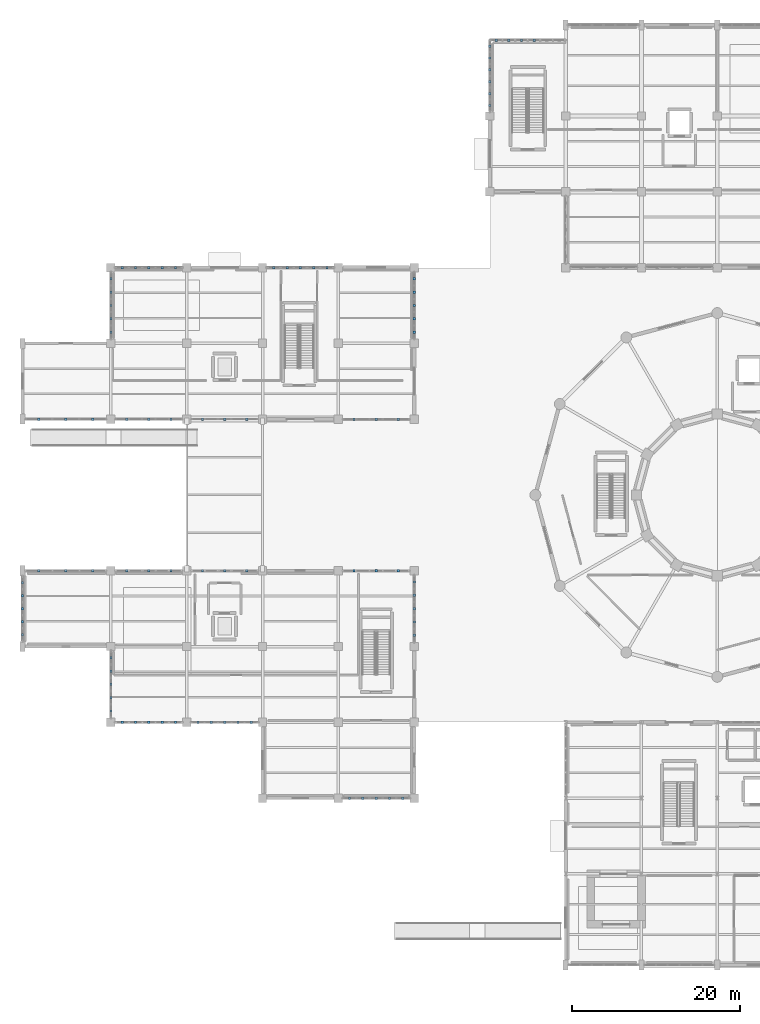
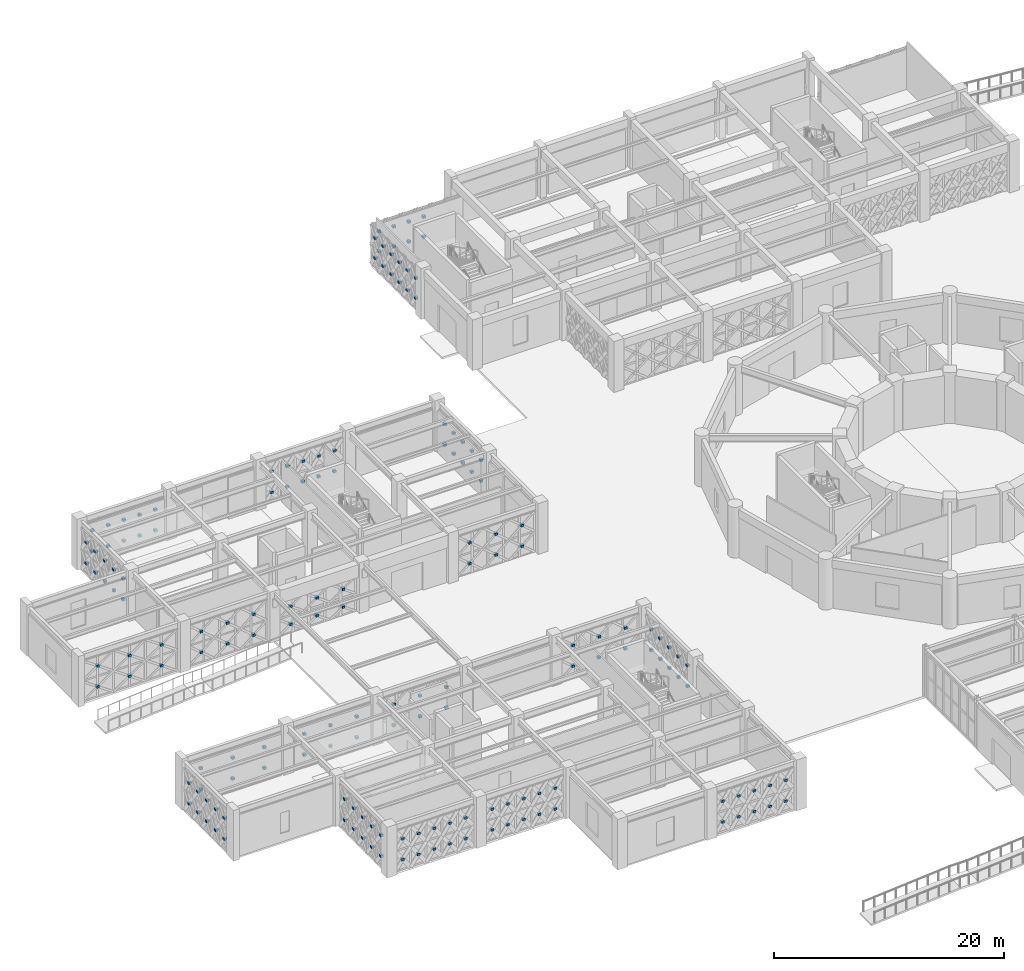
# One storey, part 124 of 140: 168 discrete accessories.
"""IFC4 building model written with IfcOpenShell, lengths in metres."""

import ifcopenshell
import ifcopenshell.guid

model = None  # the IFC model being written
_history = None  # IfcOwnerHistory: only IFC2X3 demands one
_inside = {}  # id of a spatial element -> (the spatial element, [elements in it])
_under = {}  # id of a project, library or spatial element -> (it, [spatial elements below it])
_declared = {}  # id of a project -> (the project, [libraries it declares])
_typed = {}  # id of a type object -> (the type object, [elements of that type])
_made_of = {}  # id of a material, layer set ... -> (it, [elements and type objects made of it])


def new_model(schema):
    """Start an empty IFC model of exactly this schema.

    Asked for "IFC4X3", IfcOpenShell would pick the latest addendum, in which some entities
    have other attributes; the version numbers below select the first issue.
    IFC2X3 requires an IfcOwnerHistory on every rooted entity: one is made here for all.
    """
    global model, _history
    if schema == "IFC4X3":
        model = ifcopenshell.file(schema_version=(4, 3, 0, 0))
    else:
        model = ifcopenshell.file(schema=schema)
    _inside.clear()
    _under.clear()
    _declared.clear()
    _typed.clear()
    _made_of.clear()
    _history = None
    if model.schema == "IFC2X3":
        org = make("IfcOrganization", Name="unknown")
        user = make(
            "IfcPersonAndOrganization",
            ThePerson=make("IfcPerson", FamilyName="unknown"),
            TheOrganization=org,
        )
        app = make(
            "IfcApplication",
            ApplicationDeveloper=org,
            Version="unknown",
            ApplicationFullName="unknown",
            ApplicationIdentifier="unknown",
        )
        _history = make(
            "IfcOwnerHistory",
            OwningUser=user,
            OwningApplication=app,
            ChangeAction="ADDED",
            CreationDate=0,
        )
    return model


def make(cls, **values):
    """One entity of the class cls with the attributes given. An attribute that is None is left unset."""
    return model.create_entity(
        cls, **{name: value for name, value in values.items() if value is not None}
    )


def rooted(cls, **values):
    """An entity with a GlobalId (a new one), such as an element, a storey or a relation."""
    return make(cls, GlobalId=ifcopenshell.guid.new(), OwnerHistory=_history, **values)


def si_unit(unit_type, name, prefix=None):
    """IfcSIUnit, for example si_unit("LENGTHUNIT", "METRE", prefix="MILLI")."""
    return make("IfcSIUnit", UnitType=unit_type, Prefix=prefix, Name=name)


def assignment(units):
    """IfcUnitAssignment: the units of a project."""
    return None if units is None else make("IfcUnitAssignment", Units=units)


def point(xyz):
    """IfcCartesianPoint."""
    return None if xyz is None else make("IfcCartesianPoint", Coordinates=xyz)


def direction(xyz):
    """IfcDirection."""
    return None if xyz is None else make("IfcDirection", DirectionRatios=xyz)


def frame(location, z_axis=None, x_axis=None):
    """IfcAxis2Placement3D, a coordinate frame: its origin and axes. An axis left out is left unset."""
    return make(
        "IfcAxis2Placement3D",
        Location=point(location),
        Axis=direction(z_axis),
        RefDirection=direction(x_axis),
    )


def frame_2d(location, x_axis=None):
    """IfcAxis2Placement2D, a coordinate frame in the plane: its origin and x axis."""
    return make(
        "IfcAxis2Placement2D", Location=point(location), RefDirection=direction(x_axis)
    )


def origin():
    """The frame at (0, 0, 0) with its axes left unset."""
    return frame((0.0, 0.0, 0.0))


def origin_2d():
    """The frame at (0, 0) in the plane with its x axis left unset."""
    return frame_2d((0.0, 0.0))


def place(relative_to, where):
    """IfcLocalPlacement: puts the frame where relative to a parent placement (None: the world)."""
    return make(
        "IfcLocalPlacement", PlacementRelTo=relative_to, RelativePlacement=where
    )


def context(
    kind, dimensions, precision=None, world=None, true_north=None, identifier=None
):
    """IfcGeometricRepresentationContext, for example the 3D "Model" context."""
    return make(
        "IfcGeometricRepresentationContext",
        ContextIdentifier=identifier,
        ContextType=kind,
        CoordinateSpaceDimension=dimensions,
        Precision=precision,
        WorldCoordinateSystem=world,
        TrueNorth=true_north,
    )


def subcontext(parent, identifier, kind, view, scale=None):
    """IfcGeometricRepresentationSubContext, for example "Body" below "Model"."""
    return make(
        "IfcGeometricRepresentationSubContext",
        ContextIdentifier=identifier,
        ContextType=kind,
        ParentContext=parent,
        TargetScale=scale,
        TargetView=view,
    )


def project(units=None, contexts=None):
    """IfcProject with its units and contexts."""
    return rooted(
        "IfcProject",
        Name="project",
        RepresentationContexts=contexts,
        UnitsInContext=assignment(units),
    )


def spatial(cls, under=None, at=None, **own):
    """A site, building, storey or space (cls), placed at a placement, below another one or the project."""
    s = rooted(cls, ObjectPlacement=at, **own)
    if under is not None:
        _under.setdefault(under.id(), (under, []))[1].append(s)
    return s


def profile(cls, at=None, kind="AREA", **sizes):
    """A parametric profile (cls). Its sizes go by their IFC names, for example OverallWidth=200.0."""
    return make(cls, ProfileType=kind, Position=at, **sizes)


def rectangle(**sizes):
    """IfcRectangleProfileDef."""
    return profile("IfcRectangleProfileDef", **sizes)


def extrude(swept, where, along, depth):
    """IfcExtrudedAreaSolid: the profile swept, set in the frame where, extruded along a direction by depth."""
    return make(
        "IfcExtrudedAreaSolid",
        SweptArea=swept,
        Position=where,
        ExtrudedDirection=direction(along),
        Depth=depth,
    )


def shape(context_of_items, identifier, shape_type, items):
    """IfcShapeRepresentation: the items that make up one representation, for example the "Body"."""
    return make(
        "IfcShapeRepresentation",
        ContextOfItems=context_of_items,
        RepresentationIdentifier=identifier,
        RepresentationType=shape_type,
        Items=items,
    )


def material(Name=None, Category=None):
    """IfcMaterial."""
    return make("IfcMaterial", Name=Name, Category=Category)


def made_of(thing, what):
    """Note that an element or type object is made of a material, layer set ...; save() writes the relation."""
    if what is not None:
        _made_of.setdefault(what.id(), (what, []))[1].append(thing)
    return thing


def type_object(cls, material=None, **own):
    """A type object (cls), such as IfcWallType, which elements share."""
    return made_of(rooted(cls, **own), material)


def element(
    cls,
    number,
    at=None,
    inside=None,
    cuts=None,
    type_object=None,
    material=None,
    context=None,
    identifier="Body",
    shape_type=None,
    held_by="IfcProductDefinitionShape",
    body=None,
    shapes=None,
    **own,
):
    """One element of the class cls, such as IfcWall. Its Tag is "e" and its number.

    at: its placement. inside: the storey or other place that contains it. cuts: it is an
    opening in that element (IfcRelVoidsElement). A single representation is given by context,
    identifier, shape_type and body (its items); several are given by shapes. held_by: the class
    of the entity that holds the representations. save() writes the other relations.
    """
    e = rooted(cls, Tag="e%d" % number, ObjectPlacement=at, **own)
    if body is not None:
        shapes = [shape(context, identifier, shape_type, body)]
    if shapes is not None:
        e.Representation = make(held_by, Representations=shapes)
    if inside is not None:
        _inside.setdefault(inside.id(), (inside, []))[1].append(e)
    if cuts is not None:
        rooted(
            "IfcRelVoidsElement", RelatingBuildingElement=cuts, RelatedOpeningElement=e
        )
    if type_object is not None:
        _typed.setdefault(type_object.id(), (type_object, []))[1].append(e)
    return made_of(e, material)


def aggregate(whole, parts):
    """IfcRelAggregates: a whole, such as a stair, and the parts it consists of."""
    return rooted("IfcRelAggregates", RelatingObject=whole, RelatedObjects=parts)


def save(model, path):
    """Write the relations noted so far, then the file.

    IfcRelAggregates (storeys below a building ...), IfcRelContainedInSpatialStructure (elements
    in a storey), IfcRelDefinesByType, IfcRelAssociatesMaterial and IfcRelDeclares: one each for
    every whole, place, type object, material and project.
    """
    for whole, parts in _under.values():
        aggregate(whole, parts)
    for where, things in _inside.values():
        rooted(
            "IfcRelContainedInSpatialStructure",
            RelatedElements=things,
            RelatingStructure=where,
        )
    for kind, things in _typed.values():
        rooted("IfcRelDefinesByType", RelatedObjects=things, RelatingType=kind)
    for what, things in _made_of.values():
        rooted("IfcRelAssociatesMaterial", RelatedObjects=things, RelatingMaterial=what)
    for by, libraries in _declared.values():
        rooted("IfcRelDeclares", RelatingContext=by, RelatedDefinitions=libraries)
    model.write(path)


model = new_model("IFC4")

# Units and contexts
model_context = context("Model", 3, precision=1e-05, world=origin(), true_north=direction((0.0, 1.0)))
body_context = subcontext(model_context, "Body", "Model", "MODEL_VIEW")
ifc_project = project(units=[si_unit("LENGTHUNIT", "METRE"), si_unit("AREAUNIT", "SQUARE_METRE"), si_unit("VOLUMEUNIT", "CUBIC_METRE"), si_unit("PLANEANGLEUNIT", "RADIAN"), si_unit("MASSUNIT", "GRAM", prefix="KILO")], contexts=[model_context])

# Site, building, storey
site_placement = place(None, origin())
site = spatial("IfcSite", under=ifc_project, at=site_placement, CompositionType="ELEMENT")
building_placement = place(site_placement, origin())
building = spatial("IfcBuilding", under=site, at=building_placement, Name="Haizhuo Lancet Aquarium", CompositionType="ELEMENT")
storey_placement = place(building_placement, origin())
storey = spatial("IfcBuildingStorey", under=building, at=storey_placement, Name="L00", CompositionType="ELEMENT", Elevation=0.0)

# Discrete accessories
ifc_material = material(Name="Steel S355", Category="steel")
discrete_accessory_type = type_object("IfcDiscreteAccessoryType", Name="ACC-END-CAP", PredefinedType="BRACKET", material=ifc_material)
for number, where, z_axis, x_axis, name in (
    (1, (-72.0, 19.3359375, 0.98486328125), (0.0, 0.0, 1.0), (1.0, 0.0, 0.0), "L00 X-brace crossing gusset plate XN-CW-V2-L00-013-LB01B1"),
    (2, (-72.0, 19.3359375, 3.19482421875), (0.0, 0.0, 1.0), (1.0, 0.0, 0.0), "L00 X-brace crossing gusset plate XN-CW-V2-L00-013-LB02B1"),
    (3, (-72.0, 20.91796875, 0.98486328125), (0.0, 0.0, 1.0), (1.0, 0.0, 0.0), "L00 X-brace crossing gusset plate XN-CW-V2-L00-013-LB03B1"),
    (4, (-72.0, 20.91796875, 3.19482421875), (0.0, 0.0, 1.0), (1.0, 0.0, 0.0), "L00 X-brace crossing gusset plate XN-CW-V2-L00-013-LB04B1"),
    (5, (-72.0, 22.5, 0.98486328125), (0.0, 0.0, 1.0), (1.0, 0.0, 0.0), "L00 X-brace crossing gusset plate XN-CW-V2-L00-013-LB05B1"),
    (6, (-72.0, 22.5, 3.19482421875), (0.0, 0.0, 1.0), (1.0, 0.0, 0.0), "L00 X-brace crossing gusset plate XN-CW-V2-L00-013-LB06B1"),
    (7, (-72.0, 24.08203125, 0.98486328125), (0.0, 0.0, 1.0), (1.0, 0.0, 0.0), "L00 X-brace crossing gusset plate XN-CW-V2-L00-013-LB07B1"),
    (8, (-72.0, 24.08203125, 3.19482421875), (0.0, 0.0, 1.0), (1.0, 0.0, 0.0), "L00 X-brace crossing gusset plate XN-CW-V2-L00-013-LB08B1"),
    (9, (-72.0, 25.6640625, 0.98486328125), (0.0, 0.0, 1.0), (1.0, 0.0, 0.0), "L00 X-brace crossing gusset plate XN-CW-V2-L00-013-LB09B1"),
    (10, (-72.0, 25.6640625, 3.19482421875), (0.0, 0.0, 1.0), (1.0, 0.0, 0.0), "L00 X-brace crossing gusset plate XN-CW-V2-L00-013-LB10B1"),
    (11, (-70.6640625, 27.0, 0.98486328125), (0.0, 0.0, 1.0), (1.0, 0.0, 0.0), "L00 X-brace crossing gusset plate XN-CW-V2-L00-014-LB01B1"),
    (12, (-70.6640625, 27.0, 3.19482421875), (0.0, 0.0, 1.0), (1.0, 0.0, 0.0), "L00 X-brace crossing gusset plate XN-CW-V2-L00-014-LB02B1"),
    (13, (-69.08203125, 27.0, 0.98486328125), (0.0, 0.0, 1.0), (1.0, 0.0, 0.0), "L00 X-brace crossing gusset plate XN-CW-V2-L00-014-LB03B1"),
    (14, (-69.08203125, 27.0, 3.19482421875), (0.0, 0.0, 1.0), (1.0, 0.0, 0.0), "L00 X-brace crossing gusset plate XN-CW-V2-L00-014-LB04B1"),
    (15, (-67.5, 27.0, 0.98486328125), (0.0, 0.0, 1.0), (1.0, 0.0, 0.0), "L00 X-brace crossing gusset plate XN-CW-V2-L00-014-LB05B1"),
    (16, (-67.5, 27.0, 3.19482421875), (0.0, 0.0, 1.0), (1.0, 0.0, 0.0), "L00 X-brace crossing gusset plate XN-CW-V2-L00-014-LB06B1"),
    (17, (-65.91796875, 27.0, 0.98486328125), (0.0, 0.0, 1.0), (1.0, 0.0, 0.0), "L00 X-brace crossing gusset plate XN-CW-V2-L00-014-LB07B1"),
    (18, (-65.91796875, 27.0, 3.19482421875), (0.0, 0.0, 1.0), (1.0, 0.0, 0.0), "L00 X-brace crossing gusset plate XN-CW-V2-L00-014-LB08B1"),
    (19, (-64.3359375, 27.0, 0.98486328125), (0.0, 0.0, 1.0), (1.0, 0.0, 0.0), "L00 X-brace crossing gusset plate XN-CW-V2-L00-014-LB09B1"),
    (20, (-64.3359375, 27.0, 3.19482421875), (0.0, 0.0, 1.0), (1.0, 0.0, 0.0), "L00 X-brace crossing gusset plate XN-CW-V2-L00-014-LB10B1"),
    (21, (-52.6640625, 27.0, 0.98486328125), (0.0, 0.0, 1.0), (1.0, 0.0, 0.0), "L00 X-brace crossing gusset plate XN-CW-V2-L00-015-LB01B1"),
    (22, (-52.6640625, 27.0, 3.19482421875), (0.0, 0.0, 1.0), (1.0, 0.0, 0.0), "L00 X-brace crossing gusset plate XN-CW-V2-L00-015-LB02B1"),
    (23, (-51.08203125, 27.0, 0.98486328125), (0.0, 0.0, 1.0), (1.0, 0.0, 0.0), "L00 X-brace crossing gusset plate XN-CW-V2-L00-015-LB03B1"),
    (24, (-51.08203125, 27.0, 3.19482421875), (0.0, 0.0, 1.0), (1.0, 0.0, 0.0), "L00 X-brace crossing gusset plate XN-CW-V2-L00-015-LB04B1"),
    (25, (-49.5, 27.0, 0.98486328125), (0.0, 0.0, 1.0), (1.0, 0.0, 0.0), "L00 X-brace crossing gusset plate XN-CW-V2-L00-015-LB05B1"),
    (26, (-49.5, 27.0, 3.19482421875), (0.0, 0.0, 1.0), (1.0, 0.0, 0.0), "L00 X-brace crossing gusset plate XN-CW-V2-L00-015-LB06B1"),
    (27, (-47.91796875, 27.0, 0.98486328125), (0.0, 0.0, 1.0), (1.0, 0.0, 0.0), "L00 X-brace crossing gusset plate XN-CW-V2-L00-015-LB07B1"),
    (28, (-47.91796875, 27.0, 3.19482421875), (0.0, 0.0, 1.0), (1.0, 0.0, 0.0), "L00 X-brace crossing gusset plate XN-CW-V2-L00-015-LB08B1"),
    (29, (-46.3359375, 27.0, 0.98486328125), (0.0, 0.0, 1.0), (1.0, 0.0, 0.0), "L00 X-brace crossing gusset plate XN-CW-V2-L00-015-LB09B1"),
    (30, (-46.3359375, 27.0, 3.19482421875), (0.0, 0.0, 1.0), (1.0, 0.0, 0.0), "L00 X-brace crossing gusset plate XN-CW-V2-L00-015-LB10B1"),
    (31, (-36.0, 25.6640625, 0.98486328125), (0.0, 0.0, 1.0), (1.0, 0.0, 0.0), "L00 X-brace crossing gusset plate XN-CW-V2-L00-016-LB01B1"),
    (32, (-36.0, 25.6640625, 3.19482421875), (0.0, 0.0, 1.0), (1.0, 0.0, 0.0), "L00 X-brace crossing gusset plate XN-CW-V2-L00-016-LB02B1"),
    (33, (-36.0, 24.08203125, 0.98486328125), (0.0, 0.0, 1.0), (1.0, 0.0, 0.0), "L00 X-brace crossing gusset plate XN-CW-V2-L00-016-LB03B1"),
    (34, (-36.0, 24.08203125, 3.19482421875), (0.0, 0.0, 1.0), (1.0, 0.0, 0.0), "L00 X-brace crossing gusset plate XN-CW-V2-L00-016-LB04B1"),
    (35, (-36.0, 22.5, 0.98486328125), (0.0, 0.0, 1.0), (1.0, 0.0, 0.0), "L00 X-brace crossing gusset plate XN-CW-V2-L00-016-LB05B1"),
    (36, (-36.0, 22.5, 3.19482421875), (0.0, 0.0, 1.0), (1.0, 0.0, 0.0), "L00 X-brace crossing gusset plate XN-CW-V2-L00-016-LB06B1"),
    (37, (-36.0, 20.91796875, 0.98486328125), (0.0, 0.0, 1.0), (1.0, 0.0, 0.0), "L00 X-brace crossing gusset plate XN-CW-V2-L00-016-LB07B1"),
    (38, (-36.0, 20.91796875, 3.19482421875), (0.0, 0.0, 1.0), (1.0, 0.0, 0.0), "L00 X-brace crossing gusset plate XN-CW-V2-L00-016-LB08B1"),
    (39, (-36.0, 19.3359375, 0.98486328125), (0.0, 0.0, 1.0), (1.0, 0.0, 0.0), "L00 X-brace crossing gusset plate XN-CW-V2-L00-016-LB09B1"),
    (40, (-36.0, 19.3359375, 3.19482421875), (0.0, 0.0, 1.0), (1.0, 0.0, 0.0), "L00 X-brace crossing gusset plate XN-CW-V2-L00-016-LB10B1"),
    (41, (-37.864013671875, 9.0, 0.98486328125), (0.0, 0.0, 1.0), (1.0, 0.0, 0.0), "L00 X-brace crossing gusset plate XN-CW-V2-L00-017-LB01B1"),
    (42, (-37.864013671875, 9.0, 3.19482421875), (0.0, 0.0, 1.0), (1.0, 0.0, 0.0), "L00 X-brace crossing gusset plate XN-CW-V2-L00-017-LB02B1"),
    (43, (-40.5, 9.0, 0.98486328125), (0.0, 0.0, 1.0), (1.0, 0.0, 0.0), "L00 X-brace crossing gusset plate XN-CW-V2-L00-017-LB03B1"),
    (44, (-40.5, 9.0, 3.19482421875), (0.0, 0.0, 1.0), (1.0, 0.0, 0.0), "L00 X-brace crossing gusset plate XN-CW-V2-L00-017-LB04B1"),
    (45, (-43.135986328125, 9.0, 0.98486328125), (0.0, 0.0, 1.0), (1.0, 0.0, 0.0), "L00 X-brace crossing gusset plate XN-CW-V2-L00-017-LB05B1"),
    (46, (-43.135986328125, 9.0, 3.19482421875), (0.0, 0.0, 1.0), (1.0, 0.0, 0.0), "L00 X-brace crossing gusset plate XN-CW-V2-L00-017-LB06B1"),
    (47, (-55.864013671875, 9.0, 0.8232421875), (0.0, 0.0, 1.0), (1.0, 0.0, 0.0), "L00 X-brace crossing gusset plate XN-CW-V2-L00-018-LB01B1"),
    (48, (-55.864013671875, 9.0, 2.7080078125), (0.0, 0.0, 1.0), (1.0, 0.0, 0.0), "L00 X-brace crossing gusset plate XN-CW-V2-L00-018-LB02B1"),
    (49, (-58.5, 9.0, 0.8232421875), (0.0, 0.0, 1.0), (1.0, 0.0, 0.0), "L00 X-brace crossing gusset plate XN-CW-V2-L00-018-LB03B1"),
    (50, (-58.5, 9.0, 2.7080078125), (0.0, 0.0, 1.0), (1.0, 0.0, 0.0), "L00 X-brace crossing gusset plate XN-CW-V2-L00-018-LB04B1"),
    (51, (-61.135986328125, 9.0, 0.8232421875), (0.0, 0.0, 1.0), (1.0, 0.0, 0.0), "L00 X-brace crossing gusset plate XN-CW-V2-L00-018-LB05B1"),
    (52, (-61.135986328125, 9.0, 2.7080078125), (0.0, 0.0, 1.0), (1.0, 0.0, 0.0), "L00 X-brace crossing gusset plate XN-CW-V2-L00-018-LB06B1"),
    (53, (-64.864013671875, 9.0, 0.98486328125), (0.0, 0.0, 1.0), (1.0, 0.0, 0.0), "L00 X-brace crossing gusset plate XN-CW-V2-L00-019-LB01B1"),
    (54, (-64.864013671875, 9.0, 3.19482421875), (0.0, 0.0, 1.0), (1.0, 0.0, 0.0), "L00 X-brace crossing gusset plate XN-CW-V2-L00-019-LB02B1"),
    (55, (-67.5, 9.0, 0.98486328125), (0.0, 0.0, 1.0), (1.0, 0.0, 0.0), "L00 X-brace crossing gusset plate XN-CW-V2-L00-019-LB03B1"),
    (56, (-67.5, 9.0, 3.19482421875), (0.0, 0.0, 1.0), (1.0, 0.0, 0.0), "L00 X-brace crossing gusset plate XN-CW-V2-L00-019-LB04B1"),
    (57, (-70.135986328125, 9.0, 0.98486328125), (0.0, 0.0, 1.0), (1.0, 0.0, 0.0), "L00 X-brace crossing gusset plate XN-CW-V2-L00-019-LB05B1"),
    (58, (-70.135986328125, 9.0, 3.19482421875), (0.0, 0.0, 1.0), (1.0, 0.0, 0.0), "L00 X-brace crossing gusset plate XN-CW-V2-L00-019-LB06B1"),
    (59, (-74.14697265625, 9.0, 0.98486328125), (0.0, 0.0, 1.0), (1.0, 0.0, 0.0), "L00 X-brace crossing gusset plate XN-CW-V2-L00-020-LB01B1"),
    (60, (-74.14697265625, 9.0, 3.19482421875), (0.0, 0.0, 1.0), (1.0, 0.0, 0.0), "L00 X-brace crossing gusset plate XN-CW-V2-L00-020-LB02B1"),
    (61, (-77.35009765625, 9.0, 0.98486328125), (0.0, 0.0, 1.0), (1.0, 0.0, 0.0), "L00 X-brace crossing gusset plate XN-CW-V2-L00-020-LB03B1"),
    (62, (-77.35009765625, 9.0, 3.19482421875), (0.0, 0.0, 1.0), (1.0, 0.0, 0.0), "L00 X-brace crossing gusset plate XN-CW-V2-L00-020-LB04B1"),
    (63, (-80.552978515625, 9.0, 0.98486328125), (0.0, 0.0, 1.0), (1.0, 0.0, 0.0), "L00 X-brace crossing gusset plate XN-CW-V2-L00-020-LB05B1"),
    (64, (-80.552978515625, 9.0, 3.19482421875), (0.0, 0.0, 1.0), (1.0, 0.0, 0.0), "L00 X-brace crossing gusset plate XN-CW-V2-L00-020-LB06B1"),
    (65, (-27.0, 46.2490234375, 0.94287109375), (0.0, 0.0, 1.0), (1.0, 0.0, 0.0), "L00 X-brace crossing gusset plate XN-CW-V5-L00-115-LB01B1"),
    (66, (-27.0, 46.2490234375, 3.07080078125), (0.0, 0.0, 1.0), (1.0, 0.0, 0.0), "L00 X-brace crossing gusset plate XN-CW-V5-L00-115-LB02B1"),
    (67, (-27.0, 47.658935546875, 0.94287109375), (0.0, 0.0, 1.0), (1.0, 0.0, 0.0), "L00 X-brace crossing gusset plate XN-CW-V5-L00-115-LB03B1"),
    (68, (-27.0, 47.658935546875, 3.07080078125), (0.0, 0.0, 1.0), (1.0, 0.0, 0.0), "L00 X-brace crossing gusset plate XN-CW-V5-L00-115-LB04B1"),
    (69, (-27.0, 49.068115234375, 0.94287109375), (0.0, 0.0, 1.0), (1.0, 0.0, 0.0), "L00 X-brace crossing gusset plate XN-CW-V5-L00-115-LB05B1"),
    (70, (-27.0, 49.068115234375, 3.07080078125), (0.0, 0.0, 1.0), (1.0, 0.0, 0.0), "L00 X-brace crossing gusset plate XN-CW-V5-L00-115-LB06B1"),
    (71, (-27.0, 50.47802734375, 0.94287109375), (0.0, 0.0, 1.0), (1.0, 0.0, 0.0), "L00 X-brace crossing gusset plate XN-CW-V5-L00-115-LB07B1"),
    (72, (-27.0, 50.47802734375, 3.07080078125), (0.0, 0.0, 1.0), (1.0, 0.0, 0.0), "L00 X-brace crossing gusset plate XN-CW-V5-L00-115-LB08B1"),
    (73, (-27.0, 51.885986328125, 0.94287109375), (0.0, 0.0, 1.0), (1.0, 0.0, 0.0), "L00 X-brace crossing gusset plate XN-CW-V5-L00-115-LB09B1"),
    (74, (-27.0, 51.885986328125, 3.07080078125), (0.0, 0.0, 1.0), (1.0, 0.0, 0.0), "L00 X-brace crossing gusset plate XN-CW-V5-L00-115-LB10B1"),
    (75, (-27.0, 53.2958984375, 0.94287109375), (0.0, 0.0, 1.0), (1.0, 0.0, 0.0), "L00 X-brace crossing gusset plate XN-CW-V5-L00-115-LB11B1"),
    (76, (-27.0, 53.2958984375, 3.07080078125), (0.0, 0.0, 1.0), (1.0, 0.0, 0.0), "L00 X-brace crossing gusset plate XN-CW-V5-L00-115-LB12B1"),
    (77, (-26.25, 54.0, 0.94287109375), (0.0, 0.0, 1.0), (1.0, 0.0, 0.0), "L00 X-brace crossing gusset plate XN-CW-V5-L00-116-LB01B1"),
    (78, (-26.25, 54.0, 3.07080078125), (0.0, 0.0, 1.0), (1.0, 0.0, 0.0), "L00 X-brace crossing gusset plate XN-CW-V5-L00-116-LB02B1"),
    (79, (-24.75, 54.0, 0.94287109375), (0.0, 0.0, 1.0), (1.0, 0.0, 0.0), "L00 X-brace crossing gusset plate XN-CW-V5-L00-116-LB03B1"),
    (80, (-24.75, 54.0, 3.07080078125), (0.0, 0.0, 1.0), (1.0, 0.0, 0.0), "L00 X-brace crossing gusset plate XN-CW-V5-L00-116-LB04B1"),
    (81, (-23.25, 54.0, 0.94287109375), (0.0, 0.0, 1.0), (1.0, 0.0, 0.0), "L00 X-brace crossing gusset plate XN-CW-V5-L00-116-LB05B1"),
    (82, (-23.25, 54.0, 3.07080078125), (0.0, 0.0, 1.0), (1.0, 0.0, 0.0), "L00 X-brace crossing gusset plate XN-CW-V5-L00-116-LB06B1"),
    (83, (-21.75, 54.0, 0.94287109375), (0.0, 0.0, 1.0), (1.0, 0.0, 0.0), "L00 X-brace crossing gusset plate XN-CW-V5-L00-116-LB07B1"),
    (84, (-21.75, 54.0, 3.07080078125), (0.0, 0.0, 1.0), (1.0, 0.0, 0.0), "L00 X-brace crossing gusset plate XN-CW-V5-L00-116-LB08B1"),
    (85, (-82.5, -16.583984375, 0.98486328125), (0.0, 0.0, 1.0), (1.0, 0.0, 0.0), "L00 X-brace crossing gusset plate XN-CW-V6-L00-192-LB01B1"),
    (86, (-82.5, -16.583984375, 3.19482421875), (0.0, 0.0, 1.0), (1.0, 0.0, 0.0), "L00 X-brace crossing gusset plate XN-CW-V6-L00-192-LB02B1"),
    (87, (-82.5, -15.0419921875, 0.98486328125), (0.0, 0.0, 1.0), (1.0, 0.0, 0.0), "L00 X-brace crossing gusset plate XN-CW-V6-L00-192-LB03B1"),
    (88, (-82.5, -15.0419921875, 3.19482421875), (0.0, 0.0, 1.0), (1.0, 0.0, 0.0), "L00 X-brace crossing gusset plate XN-CW-V6-L00-192-LB04B1"),
    (89, (-82.5, -13.5, 0.98486328125), (0.0, 0.0, 1.0), (1.0, 0.0, 0.0), "L00 X-brace crossing gusset plate XN-CW-V6-L00-192-LB05B1"),
    (90, (-82.5, -13.5, 3.19482421875), (0.0, 0.0, 1.0), (1.0, 0.0, 0.0), "L00 X-brace crossing gusset plate XN-CW-V6-L00-192-LB06B1"),
    (91, (-82.5, -11.9580078125, 0.98486328125), (0.0, 0.0, 1.0), (1.0, 0.0, 0.0), "L00 X-brace crossing gusset plate XN-CW-V6-L00-192-LB07B1"),
    (92, (-82.5, -11.9580078125, 3.19482421875), (0.0, 0.0, 1.0), (1.0, 0.0, 0.0), "L00 X-brace crossing gusset plate XN-CW-V6-L00-192-LB08B1"),
    (93, (-82.5, -10.416015625, 0.98486328125), (0.0, 0.0, 1.0), (1.0, 0.0, 0.0), "L00 X-brace crossing gusset plate XN-CW-V6-L00-192-LB09B1"),
    (94, (-82.5, -10.416015625, 3.19482421875), (0.0, 0.0, 1.0), (1.0, 0.0, 0.0), "L00 X-brace crossing gusset plate XN-CW-V6-L00-192-LB10B1"),
    (95, (-80.552978515625, -9.0, 0.98486328125), (0.0, 0.0, 1.0), (1.0, 0.0, 0.0), "L00 X-brace crossing gusset plate XN-CW-V6-L00-193-LB01B1"),
    (96, (-80.552978515625, -9.0, 3.19482421875), (0.0, 0.0, 1.0), (1.0, 0.0, 0.0), "L00 X-brace crossing gusset plate XN-CW-V6-L00-193-LB02B1"),
    (97, (-77.35009765625, -9.0, 0.98486328125), (0.0, 0.0, 1.0), (1.0, 0.0, 0.0), "L00 X-brace crossing gusset plate XN-CW-V6-L00-193-LB03B1"),
    (98, (-77.35009765625, -9.0, 3.19482421875), (0.0, 0.0, 1.0), (1.0, 0.0, 0.0), "L00 X-brace crossing gusset plate XN-CW-V6-L00-193-LB04B1"),
    (99, (-74.14697265625, -9.0, 0.98486328125), (0.0, 0.0, 1.0), (1.0, 0.0, 0.0), "L00 X-brace crossing gusset plate XN-CW-V6-L00-193-LB05B1"),
    (100, (-74.14697265625, -9.0, 3.19482421875), (0.0, 0.0, 1.0), (1.0, 0.0, 0.0), "L00 X-brace crossing gusset plate XN-CW-V6-L00-193-LB06B1"),
    (101, (-70.135986328125, -9.0, 0.98486328125), (0.0, 0.0, 1.0), (1.0, 0.0, 0.0), "L00 X-brace crossing gusset plate XN-CW-V6-L00-194-LB01B1"),
    (102, (-70.135986328125, -9.0, 3.19482421875), (0.0, 0.0, 1.0), (1.0, 0.0, 0.0), "L00 X-brace crossing gusset plate XN-CW-V6-L00-194-LB02B1"),
    (103, (-67.5, -9.0, 0.98486328125), (0.0, 0.0, 1.0), (1.0, 0.0, 0.0), "L00 X-brace crossing gusset plate XN-CW-V6-L00-194-LB03B1"),
    (104, (-67.5, -9.0, 3.19482421875), (0.0, 0.0, 1.0), (1.0, 0.0, 0.0), "L00 X-brace crossing gusset plate XN-CW-V6-L00-194-LB04B1"),
    (105, (-64.864013671875, -9.0, 0.98486328125), (0.0, 0.0, 1.0), (1.0, 0.0, 0.0), "L00 X-brace crossing gusset plate XN-CW-V6-L00-194-LB05B1"),
    (106, (-64.864013671875, -9.0, 3.19482421875), (0.0, 0.0, 1.0), (1.0, 0.0, 0.0), "L00 X-brace crossing gusset plate XN-CW-V6-L00-194-LB06B1"),
    (107, (-61.135986328125, -9.0, 0.98486328125), (0.0, 0.0, 1.0), (1.0, 0.0, 0.0), "L00 X-brace crossing gusset plate XN-CW-V6-L00-195-LB01B1"),
    (108, (-61.135986328125, -9.0, 3.19482421875), (0.0, 0.0, 1.0), (1.0, 0.0, 0.0), "L00 X-brace crossing gusset plate XN-CW-V6-L00-195-LB02B1"),
    (109, (-58.5, -9.0, 0.98486328125), (0.0, 0.0, 1.0), (1.0, 0.0, 0.0), "L00 X-brace crossing gusset plate XN-CW-V6-L00-195-LB03B1"),
    (110, (-58.5, -9.0, 3.19482421875), (0.0, 0.0, 1.0), (1.0, 0.0, 0.0), "L00 X-brace crossing gusset plate XN-CW-V6-L00-195-LB04B1"),
    (111, (-55.864013671875, -9.0, 0.98486328125), (0.0, 0.0, 1.0), (1.0, 0.0, 0.0), "L00 X-brace crossing gusset plate XN-CW-V6-L00-195-LB05B1"),
    (112, (-55.864013671875, -9.0, 3.19482421875), (0.0, 0.0, 1.0), (1.0, 0.0, 0.0), "L00 X-brace crossing gusset plate XN-CW-V6-L00-195-LB06B1"),
    (113, (-43.135986328125, -9.0, 0.98486328125), (0.0, 0.0, 1.0), (1.0, 0.0, 0.0), "L00 X-brace crossing gusset plate XN-CW-V6-L00-196-LB01B1"),
    (114, (-43.135986328125, -9.0, 3.19482421875), (0.0, 0.0, 1.0), (1.0, 0.0, 0.0), "L00 X-brace crossing gusset plate XN-CW-V6-L00-196-LB02B1"),
    (115, (-40.5, -9.0, 0.98486328125), (0.0, 0.0, 1.0), (1.0, 0.0, 0.0), "L00 X-brace crossing gusset plate XN-CW-V6-L00-196-LB03B1"),
    (116, (-40.5, -9.0, 3.19482421875), (0.0, 0.0, 1.0), (1.0, 0.0, 0.0), "L00 X-brace crossing gusset plate XN-CW-V6-L00-196-LB04B1"),
    (117, (-37.864013671875, -9.0, 0.98486328125), (0.0, 0.0, 1.0), (1.0, 0.0, 0.0), "L00 X-brace crossing gusset plate XN-CW-V6-L00-196-LB05B1"),
    (118, (-37.864013671875, -9.0, 3.19482421875), (0.0, 0.0, 1.0), (1.0, 0.0, 0.0), "L00 X-brace crossing gusset plate XN-CW-V6-L00-196-LB06B1"),
    (119, (-36.0, -10.3359375, 0.98486328125), (0.0, 0.0, 1.0), (1.0, 0.0, 0.0), "L00 X-brace crossing gusset plate XN-CW-V6-L00-197-LB01B1"),
    (120, (-36.0, -10.3359375, 3.19482421875), (0.0, 0.0, 1.0), (1.0, 0.0, 0.0), "L00 X-brace crossing gusset plate XN-CW-V6-L00-197-LB02B1"),
    (121, (-36.0, -11.91796875, 0.98486328125), (0.0, 0.0, 1.0), (1.0, 0.0, 0.0), "L00 X-brace crossing gusset plate XN-CW-V6-L00-197-LB03B1"),
    (122, (-36.0, -11.91796875, 3.19482421875), (0.0, 0.0, 1.0), (1.0, 0.0, 0.0), "L00 X-brace crossing gusset plate XN-CW-V6-L00-197-LB04B1"),
    (123, (-36.0, -13.5, 0.98486328125), (0.0, 0.0, 1.0), (1.0, 0.0, 0.0), "L00 X-brace crossing gusset plate XN-CW-V6-L00-197-LB05B1"),
    (124, (-36.0, -13.5, 3.19482421875), (0.0, 0.0, 1.0), (1.0, 0.0, 0.0), "L00 X-brace crossing gusset plate XN-CW-V6-L00-197-LB06B1"),
    (125, (-36.0, -15.08203125, 0.98486328125), (0.0, 0.0, 1.0), (1.0, 0.0, 0.0), "L00 X-brace crossing gusset plate XN-CW-V6-L00-197-LB07B1"),
    (126, (-36.0, -15.08203125, 3.19482421875), (0.0, 0.0, 1.0), (1.0, 0.0, 0.0), "L00 X-brace crossing gusset plate XN-CW-V6-L00-197-LB08B1"),
    (127, (-36.0, -16.6640625, 0.98486328125), (0.0, 0.0, 1.0), (1.0, 0.0, 0.0), "L00 X-brace crossing gusset plate XN-CW-V6-L00-197-LB09B1"),
    (128, (-36.0, -16.6640625, 3.19482421875), (0.0, 0.0, 1.0), (1.0, 0.0, 0.0), "L00 X-brace crossing gusset plate XN-CW-V6-L00-197-LB10B1"),
    (129, (-37.3359375, -36.0, 0.98486328125), (0.0, 0.0, 1.0), (1.0, 0.0, 0.0), "L00 X-brace crossing gusset plate XN-CW-V6-L00-198-LB01B1"),
    (130, (-37.3359375, -36.0, 3.19482421875), (0.0, 0.0, 1.0), (1.0, 0.0, 0.0), "L00 X-brace crossing gusset plate XN-CW-V6-L00-198-LB02B1"),
    (131, (-38.91796875, -36.0, 0.98486328125), (0.0, 0.0, 1.0), (1.0, 0.0, 0.0), "L00 X-brace crossing gusset plate XN-CW-V6-L00-198-LB03B1"),
    (132, (-38.91796875, -36.0, 3.19482421875), (0.0, 0.0, 1.0), (1.0, 0.0, 0.0), "L00 X-brace crossing gusset plate XN-CW-V6-L00-198-LB04B1"),
    (133, (-40.5, -36.0, 0.98486328125), (0.0, 0.0, 1.0), (1.0, 0.0, 0.0), "L00 X-brace crossing gusset plate XN-CW-V6-L00-198-LB05B1"),
    (134, (-40.5, -36.0, 3.19482421875), (0.0, 0.0, 1.0), (1.0, 0.0, 0.0), "L00 X-brace crossing gusset plate XN-CW-V6-L00-198-LB06B1"),
    (135, (-42.08203125, -36.0, 0.98486328125), (0.0, 0.0, 1.0), (1.0, 0.0, 0.0), "L00 X-brace crossing gusset plate XN-CW-V6-L00-198-LB07B1"),
    (136, (-42.08203125, -36.0, 3.19482421875), (0.0, 0.0, 1.0), (1.0, 0.0, 0.0), "L00 X-brace crossing gusset plate XN-CW-V6-L00-198-LB08B1"),
    (137, (-43.6640625, -36.0, 0.98486328125), (0.0, 0.0, 1.0), (1.0, 0.0, 0.0), "L00 X-brace crossing gusset plate XN-CW-V6-L00-198-LB09B1"),
    (138, (-43.6640625, -36.0, 3.19482421875), (0.0, 0.0, 1.0), (1.0, 0.0, 0.0), "L00 X-brace crossing gusset plate XN-CW-V6-L00-198-LB10B1"),
    (139, (-55.3359375, -27.0, 0.98486328125), (0.0, 0.0, 1.0), (1.0, 0.0, 0.0), "L00 X-brace crossing gusset plate XN-CW-V6-L00-199-LB01B1"),
    (140, (-55.3359375, -27.0, 3.19482421875), (0.0, 0.0, 1.0), (1.0, 0.0, 0.0), "L00 X-brace crossing gusset plate XN-CW-V6-L00-199-LB02B1"),
    (141, (-56.91796875, -27.0, 0.98486328125), (0.0, 0.0, 1.0), (1.0, 0.0, 0.0), "L00 X-brace crossing gusset plate XN-CW-V6-L00-199-LB03B1"),
    (142, (-56.91796875, -27.0, 3.19482421875), (0.0, 0.0, 1.0), (1.0, 0.0, 0.0), "L00 X-brace crossing gusset plate XN-CW-V6-L00-199-LB04B1"),
    (143, (-58.5, -27.0, 0.98486328125), (0.0, 0.0, 1.0), (1.0, 0.0, 0.0), "L00 X-brace crossing gusset plate XN-CW-V6-L00-199-LB05B1"),
    (144, (-58.5, -27.0, 3.19482421875), (0.0, 0.0, 1.0), (1.0, 0.0, 0.0), "L00 X-brace crossing gusset plate XN-CW-V6-L00-199-LB06B1"),
    (145, (-60.08203125, -27.0, 0.98486328125), (0.0, 0.0, 1.0), (1.0, 0.0, 0.0), "L00 X-brace crossing gusset plate XN-CW-V6-L00-199-LB07B1"),
    (146, (-60.08203125, -27.0, 3.19482421875), (0.0, 0.0, 1.0), (1.0, 0.0, 0.0), "L00 X-brace crossing gusset plate XN-CW-V6-L00-199-LB08B1"),
    (147, (-61.6640625, -27.0, 0.98486328125), (0.0, 0.0, 1.0), (1.0, 0.0, 0.0), "L00 X-brace crossing gusset plate XN-CW-V6-L00-199-LB09B1"),
    (148, (-61.6640625, -27.0, 3.19482421875), (0.0, 0.0, 1.0), (1.0, 0.0, 0.0), "L00 X-brace crossing gusset plate XN-CW-V6-L00-199-LB10B1"),
    (149, (-64.3359375, -27.0, 0.98486328125), (0.0, 0.0, 1.0), (1.0, 0.0, 0.0), "L00 X-brace crossing gusset plate XN-CW-V6-L00-200-LB01B1"),
    (150, (-64.3359375, -27.0, 3.19482421875), (0.0, 0.0, 1.0), (1.0, 0.0, 0.0), "L00 X-brace crossing gusset plate XN-CW-V6-L00-200-LB02B1"),
    (151, (-65.91796875, -27.0, 0.98486328125), (0.0, 0.0, 1.0), (1.0, 0.0, 0.0), "L00 X-brace crossing gusset plate XN-CW-V6-L00-200-LB03B1"),
    (152, (-65.91796875, -27.0, 3.19482421875), (0.0, 0.0, 1.0), (1.0, 0.0, 0.0), "L00 X-brace crossing gusset plate XN-CW-V6-L00-200-LB04B1"),
    (153, (-67.5, -27.0, 0.98486328125), (0.0, 0.0, 1.0), (1.0, 0.0, 0.0), "L00 X-brace crossing gusset plate XN-CW-V6-L00-200-LB05B1"),
    (154, (-67.5, -27.0, 3.19482421875), (0.0, 0.0, 1.0), (1.0, 0.0, 0.0), "L00 X-brace crossing gusset plate XN-CW-V6-L00-200-LB06B1"),
    (155, (-69.08203125, -27.0, 0.98486328125), (0.0, 0.0, 1.0), (1.0, 0.0, 0.0), "L00 X-brace crossing gusset plate XN-CW-V6-L00-200-LB07B1"),
    (156, (-69.08203125, -27.0, 3.19482421875), (0.0, 0.0, 1.0), (1.0, 0.0, 0.0), "L00 X-brace crossing gusset plate XN-CW-V6-L00-200-LB08B1"),
    (157, (-70.6640625, -27.0, 0.98486328125), (0.0, 0.0, 1.0), (1.0, 0.0, 0.0), "L00 X-brace crossing gusset plate XN-CW-V6-L00-200-LB09B1"),
    (158, (-70.6640625, -27.0, 3.19482421875), (0.0, 0.0, 1.0), (1.0, 0.0, 0.0), "L00 X-brace crossing gusset plate XN-CW-V6-L00-200-LB10B1"),
    (159, (-72.0, -25.6640625, 0.98486328125), (0.0, 0.0, 1.0), (1.0, 0.0, 0.0), "L00 X-brace crossing gusset plate XN-CW-V6-L00-201-LB01B1"),
    (160, (-72.0, -25.6640625, 3.19482421875), (0.0, 0.0, 1.0), (1.0, 0.0, 0.0), "L00 X-brace crossing gusset plate XN-CW-V6-L00-201-LB02B1"),
    (161, (-72.0, -24.08203125, 0.98486328125), (0.0, 0.0, 1.0), (1.0, 0.0, 0.0), "L00 X-brace crossing gusset plate XN-CW-V6-L00-201-LB03B1"),
    (162, (-72.0, -24.08203125, 3.19482421875), (0.0, 0.0, 1.0), (1.0, 0.0, 0.0), "L00 X-brace crossing gusset plate XN-CW-V6-L00-201-LB04B1"),
    (163, (-72.0, -22.5, 0.98486328125), (0.0, 0.0, 1.0), (1.0, 0.0, 0.0), "L00 X-brace crossing gusset plate XN-CW-V6-L00-201-LB05B1"),
    (164, (-72.0, -22.5, 3.19482421875), (0.0, 0.0, 1.0), (1.0, 0.0, 0.0), "L00 X-brace crossing gusset plate XN-CW-V6-L00-201-LB06B1"),
    (165, (-72.0, -20.91796875, 0.98486328125), (0.0, 0.0, 1.0), (1.0, 0.0, 0.0), "L00 X-brace crossing gusset plate XN-CW-V6-L00-201-LB07B1"),
    (166, (-72.0, -20.91796875, 3.19482421875), (0.0, 0.0, 1.0), (1.0, 0.0, 0.0), "L00 X-brace crossing gusset plate XN-CW-V6-L00-201-LB08B1"),
    (167, (-72.0, -19.3359375, 0.98486328125), (0.0, 0.0, 1.0), (1.0, 0.0, 0.0), "L00 X-brace crossing gusset plate XN-CW-V6-L00-201-LB09B1"),
    (168, (-72.0, -19.3359375, 3.19482421875), (0.0, 0.0, 1.0), (1.0, 0.0, 0.0), "L00 X-brace crossing gusset plate XN-CW-V6-L00-201-LB10B1"),
):
    element("IfcDiscreteAccessory", number, at=place(storey_placement, frame(where, z_axis=z_axis, x_axis=x_axis)), inside=storey, type_object=discrete_accessory_type, material=ifc_material, Name=name, PredefinedType="BRACKET", context=body_context, shape_type="SweptSolid", body=[
        extrude(rectangle(XDim=0.280029296875, YDim=0.280029296875, at=origin_2d()), origin(), (0.0, 0.0, 1.0), 0.239990234375),
    ])

save(model, "model.ifc")
